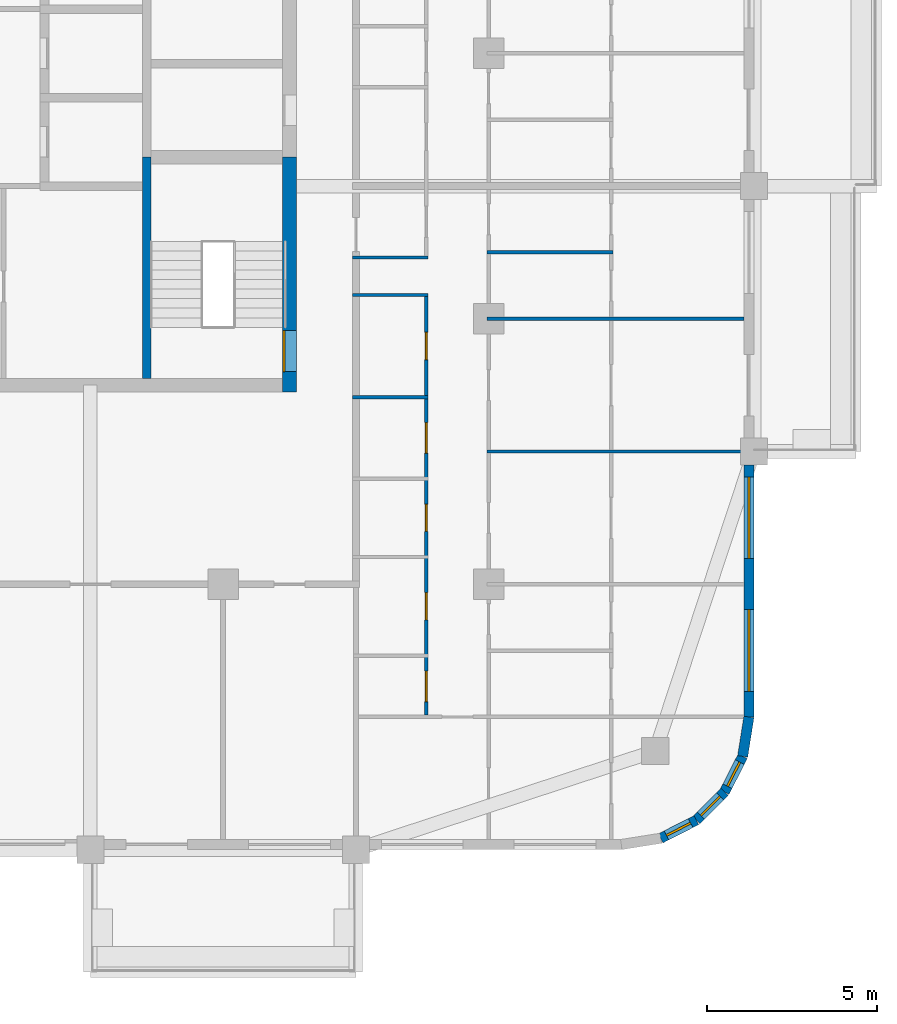
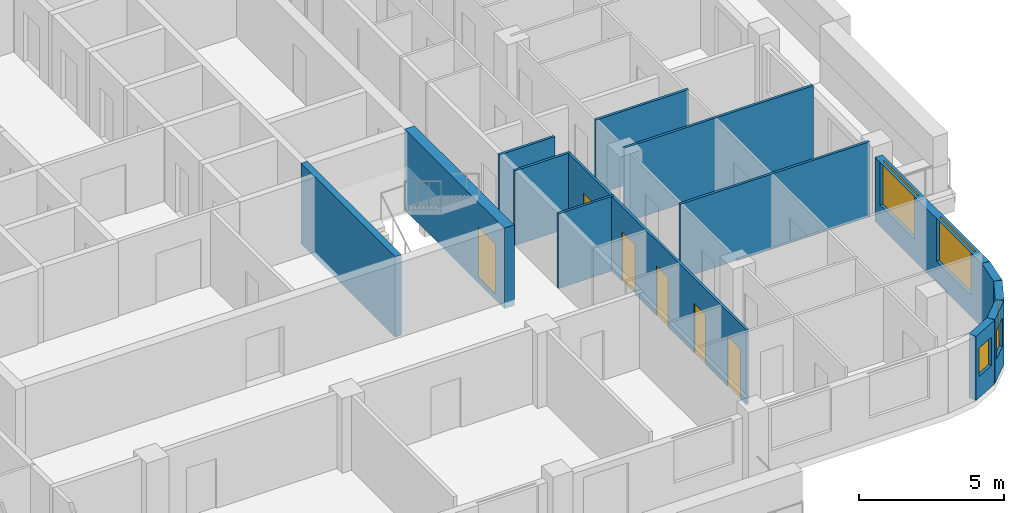
# One storey, part 6 of 16: 14 walls, 6 doors, 5 windows, 11 openings.
"""IFC4 building model written with IfcOpenShell, lengths in metres."""

from ifc_helpers import new_model, si_unit, direction, frame, frame_2d, origin, place, context, subcontext, project, spatial, rectangle, extrude, material, layer, layer_set, type_object, element, fill, save


model = new_model("IFC4")

# Units and contexts
model_context = context("Model", 3, precision=1e-05, world=origin(), true_north=direction((0.0, 1.0)))
body_context = subcontext(model_context, "Body", "Model", "MODEL_VIEW")
ifc_project = project(units=[si_unit("LENGTHUNIT", "METRE"), si_unit("AREAUNIT", "SQUARE_METRE"), si_unit("VOLUMEUNIT", "CUBIC_METRE"), si_unit("PLANEANGLEUNIT", "RADIAN"), si_unit("MASSUNIT", "GRAM", prefix="KILO")], contexts=[model_context])

# Site, building, storey
site_placement = place(None, origin())
site = spatial("IfcSite", under=ifc_project, at=site_placement, CompositionType="ELEMENT")
building_placement = place(site_placement, origin())
building = spatial("IfcBuilding", under=site, at=building_placement, Name="Ludao Terraces", CompositionType="ELEMENT")
storey_placement = place(building_placement, frame((0.0, 0.0, 224.5)))
storey = spatial("IfcBuildingStorey", under=building, at=storey_placement, Name="L61", CompositionType="ELEMENT", Elevation=224.5)

# Wall, opening, door
ifc_material_1 = material(Name="Concrete C50", Category="concrete")
ifc_layer_1 = layer(ifc_material_1, 0.39990234375)
ifc_layer_set_1 = layer_set([ifc_layer_1], Name="Core wall 400 C50")
wall_type_1 = type_object("IfcWallType", Name="Core wall 400 C50", PredefinedType="SOLIDWALL", material=ifc_layer_set_1)
wall_1_placement = place(storey_placement, frame((94.75, 55.050048828125, -0.25), z_axis=(0.0, 0.0, 1.0), x_axis=(0.0, 1.0, 0.0)))
wall_1 = element("IfcWall", 1, at=wall_1_placement, inside=storey, type_object=wall_type_1, Name="Core wall L61 outer-E-S3", PredefinedType="SOLIDWALL", context=body_context, shape_type="SweptSolid", body=[
    extrude(rectangle(XDim=6.89990234375, YDim=0.39990234375, at=frame_2d((3.449951171875, 0.0))), origin(), (0.0, 0.0, 1.0), 3.39990234375),
])
opening_1_placement = place(wall_1_placement, frame((0.60009765625, 0.0, 0.25)))
opening_1 = element("IfcOpeningElement", 2, at=opening_1_placement, cuts=wall_1, Name="Opening R22-033", PredefinedType="OPENING", context=body_context, shape_type="SweptSolid", body=[
    extrude(rectangle(XDim=1.199951171875, YDim=2.10009765625, at=frame_2d((0.60009765625, 1.050048828125))), frame((0.0, 0.2099609375, 0.0), z_axis=(0.0, -1.0, 0.0), x_axis=(1.0, 0.0, 0.0)), (0.0, 0.0, 1.0), 0.419921875),
])
ifc_material_2 = material(Name="Steel Q235", Category="steel")
door_type_1 = type_object("IfcDoorType", Name="INT Stair door 1200", OperationType="DOUBLE_DOOR_SINGLE_SWING", PredefinedType="DOOR", material=ifc_material_2)
door_1_placement = place(opening_1_placement, origin())
door_1 = element("IfcDoor", 3, at=door_1_placement, inside=storey, type_object=door_type_1, Name="DOOR 033", OperationType="DOUBLE_DOOR_SINGLE_SWING", OverallHeight=2.10009765625, OverallWidth=1.199951171875, PredefinedType="DOOR", context=body_context, shape_type="SweptSolid", body=[
    extrude(rectangle(XDim=1.199951171875, YDim=2.10009765625, at=frame_2d((0.60009765625, 1.050048828125))), frame((0.0, 0.18505859375, 0.0), z_axis=(0.0, -1.0, 0.0), x_axis=(1.0, 0.0, 0.0)), (0.0, 0.0, 1.0), 0.050048828125),
])
fill(opening_1, door_1)

# Wall, openings, windows
ifc_material_3 = material(Name="Granite cladding", Category="masonry")
ifc_layer_2 = layer(ifc_material_3, 0.0400390625, Category="stone")
ifc_material_4 = material(Name="Mineral wool")
ifc_layer_3 = layer(ifc_material_4, 0.06005859375)
ifc_material_5 = material(Name="Concrete C40", Category="concrete")
ifc_layer_4 = layer(ifc_material_5, 0.199951171875, Category="concrete")
ifc_layer_set_2 = layer_set([ifc_layer_2, ifc_layer_3, ifc_layer_4], Name="ENV Stone-clad wall 300")
wall_type_2 = type_object("IfcWallType", Name="ENV Stone-clad wall 300", PredefinedType="SOLIDWALL", material=ifc_layer_set_2)
wall_2_placement = place(storey_placement, frame((108.25, 45.5, 0.0), z_axis=(0.0, 0.0, 1.0), x_axis=(0.0, 1.0, 0.0)))
wall_2 = element("IfcWall", 4, at=wall_2_placement, inside=storey, type_object=wall_type_2, Name="EW-L61-E1", PredefinedType="SOLIDWALL", context=body_context, shape_type="SweptSolid", body=[
    extrude(rectangle(XDim=7.39990234375, YDim=0.300048828125, at=frame_2d((3.699951171875, 0.0))), origin(), (0.0, 0.0, 1.0), 2.699951171875),
])
opening_2_placement = place(wall_2_placement, frame((0.75, 0.0, 0.89990234375)))
opening_2 = element("IfcOpeningElement", 5, at=opening_2_placement, cuts=wall_2, Name="Opening W1", PredefinedType="OPENING", context=body_context, shape_type="SweptSolid", body=[
    extrude(rectangle(XDim=2.39990234375, YDim=1.800048828125, at=frame_2d((1.199951171875, 0.89990234375))), frame((0.0, 0.16015625, 0.0), z_axis=(0.0, -1.0, 0.0), x_axis=(1.0, 0.0, 0.0)), (0.0, 0.0, 1.0), 0.320068359375),
])
opening_3_placement = place(wall_2_placement, frame((4.64990234375, 0.0, 0.89990234375)))
opening_3 = element("IfcOpeningElement", 6, at=opening_3_placement, cuts=wall_2, Name="Opening W1", PredefinedType="OPENING", context=body_context, shape_type="SweptSolid", body=[
    extrude(rectangle(XDim=2.39990234375, YDim=1.800048828125, at=frame_2d((1.199951171875, 0.89990234375))), frame((0.0, 0.16015625, 0.0), z_axis=(0.0, -1.0, 0.0), x_axis=(1.0, 0.0, 0.0)), (0.0, 0.0, 1.0), 0.320068359375),
])
ifc_material_6 = material(Name="Clear glass in aluminium frame", Category="aluminium")
ifc_layer_5 = layer(ifc_material_6, 0.06005859375)
ifc_layer_set_3 = layer_set([ifc_layer_5], Name="ENV Window W1 2400x1800")
window_type_1 = type_object("IfcWindowType", Name="ENV Window W1 2400x1800", PartitioningType="DOUBLE_PANEL_VERTICAL", PredefinedType="WINDOW", material=ifc_layer_set_3)
window_1_placement = place(opening_2_placement, origin())
window_1 = element("IfcWindow", 7, at=window_1_placement, inside=storey, type_object=window_type_1, Name="W-L61-E1-1", OverallHeight=1.800048828125, OverallWidth=2.39990234375, PartitioningType="DOUBLE_PANEL_VERTICAL", PredefinedType="WINDOW", context=body_context, shape_type="SweptSolid", body=[
    extrude(rectangle(XDim=2.39990234375, YDim=1.800048828125, at=frame_2d((1.199951171875, 0.89990234375))), frame((0.0, 0.030029296875, 0.0), z_axis=(0.0, -1.0, 0.0), x_axis=(1.0, 0.0, 0.0)), (0.0, 0.0, 1.0), 0.06005859375),
])
fill(opening_2, window_1)
window_2_placement = place(opening_3_placement, origin())
window_2 = element("IfcWindow", 8, at=window_2_placement, inside=storey, type_object=window_type_1, Name="W-L61-E1-2", OverallHeight=1.800048828125, OverallWidth=2.39990234375, PartitioningType="DOUBLE_PANEL_VERTICAL", PredefinedType="WINDOW", context=body_context, shape_type="SweptSolid", body=[
    extrude(rectangle(XDim=2.39990234375, YDim=1.800048828125, at=frame_2d((1.199951171875, 0.89990234375))), frame((0.0, 0.030029296875, 0.0), z_axis=(0.0, -1.0, 0.0), x_axis=(1.0, 0.0, 0.0)), (0.0, 0.0, 1.0), 0.06005859375),
])
fill(opening_3, window_2)

# Wall, opening, window
wall_3_placement = place(storey_placement, frame((105.65869140625, 41.93359375, 0.0), z_axis=(0.0, 0.0, 1.0), x_axis=(0.890988677504, 0.454025524128, 0.0)))
wall_3 = element("IfcWall", 9, at=wall_3_placement, inside=storey, type_object=wall_type_2, Name="EW-L61-SE2", PredefinedType="SOLIDWALL", context=body_context, shape_type="SweptSolid", body=[
    extrude(rectangle(XDim=1.17333984375, YDim=0.300048828125, at=frame_2d((0.586669921875, 0.0))), origin(), (0.0, 0.0, 1.0), 2.699951171875),
])
opening_4_placement = place(wall_3_placement, frame((0.1865234375, 0.0, 0.89990234375)))
opening_4 = element("IfcOpeningElement", 10, at=opening_4_placement, cuts=wall_3, Name="Opening W3", PredefinedType="OPENING", context=body_context, shape_type="SweptSolid", body=[
    extrude(rectangle(XDim=0.800048828125, YDim=1.199951171875, at=frame_2d((0.39990234375, 0.60009765625))), frame((0.0, 0.16015625, 0.0), z_axis=(0.0, -1.0, 0.0), x_axis=(1.0, 0.0, 0.0)), (0.0, 0.0, 1.0), 0.320068359375),
])
ifc_layer_6 = layer(ifc_material_6, 0.06005859375)
ifc_layer_set_4 = layer_set([ifc_layer_6], Name="ENV Window W3 800x1200")
window_type_2 = type_object("IfcWindowType", Name="ENV Window W3 800x1200", PartitioningType="SINGLE_PANEL", PredefinedType="WINDOW", material=ifc_layer_set_4)
window_3_placement = place(opening_4_placement, origin())
window_3 = element("IfcWindow", 11, at=window_3_placement, inside=storey, type_object=window_type_2, Name="W-L61-SE2", OverallHeight=1.199951171875, OverallWidth=0.800048828125, PartitioningType="SINGLE_PANEL", PredefinedType="WINDOW", context=body_context, shape_type="SweptSolid", body=[
    extrude(rectangle(XDim=0.800048828125, YDim=1.199951171875, at=frame_2d((0.39990234375, 0.60009765625))), frame((0.0, 0.030029296875, 0.0), z_axis=(0.0, -1.0, 0.0), x_axis=(1.0, 0.0, 0.0)), (0.0, 0.0, 1.0), 0.06005859375),
])
fill(opening_4, window_3)

wall_4_placement = place(storey_placement, frame((106.7041015625, 42.46630859375, 0.0), z_axis=(0.0, 0.0, 1.0), x_axis=(0.707106781187, 0.707106781187, 0.0)))
wall_4 = element("IfcWall", 12, at=wall_4_placement, inside=storey, type_object=wall_type_2, Name="EW-L61-SE3", PredefinedType="SOLIDWALL", context=body_context, shape_type="SweptSolid", body=[
    extrude(rectangle(XDim=1.173095703125, YDim=0.300048828125, at=frame_2d((0.58642578125, 0.0))), origin(), (0.0, 0.0, 1.0), 2.699951171875),
])
opening_5_placement = place(wall_4_placement, frame((0.1865234375, 0.0, 0.89990234375)))
opening_5 = element("IfcOpeningElement", 13, at=opening_5_placement, cuts=wall_4, Name="Opening W3", PredefinedType="OPENING", context=body_context, shape_type="SweptSolid", body=[
    extrude(rectangle(XDim=0.800048828125, YDim=1.199951171875, at=frame_2d((0.39990234375, 0.60009765625))), frame((0.0, 0.16015625, 0.0), z_axis=(0.0, -1.0, 0.0), x_axis=(1.0, 0.0, 0.0)), (0.0, 0.0, 1.0), 0.320068359375),
])
window_4_placement = place(opening_5_placement, origin())
window_4 = element("IfcWindow", 14, at=window_4_placement, inside=storey, type_object=window_type_2, Name="W-L61-SE3", OverallHeight=1.199951171875, OverallWidth=0.800048828125, PartitioningType="SINGLE_PANEL", PredefinedType="WINDOW", context=body_context, shape_type="SweptSolid", body=[
    extrude(rectangle(XDim=0.800048828125, YDim=1.199951171875, at=frame_2d((0.39990234375, 0.60009765625))), frame((0.0, 0.030029296875, 0.0), z_axis=(0.0, -1.0, 0.0), x_axis=(1.0, 0.0, 0.0)), (0.0, 0.0, 1.0), 0.06005859375),
])
fill(opening_5, window_4)

wall_5_placement = place(storey_placement, frame((107.53369140625, 43.2958984375, 0.0), z_axis=(0.0, 0.0, 1.0), x_axis=(0.454025524128, 0.890988677504, 0.0)))
wall_5 = element("IfcWall", 15, at=wall_5_placement, inside=storey, type_object=wall_type_2, Name="EW-L61-SE4", PredefinedType="SOLIDWALL", context=body_context, shape_type="SweptSolid", body=[
    extrude(rectangle(XDim=1.17333984375, YDim=0.300048828125, at=frame_2d((0.586669921875, 0.0))), origin(), (0.0, 0.0, 1.0), 2.699951171875),
])
opening_6_placement = place(wall_5_placement, frame((0.1865234375, 0.0, 0.89990234375)))
opening_6 = element("IfcOpeningElement", 16, at=opening_6_placement, cuts=wall_5, Name="Opening W3", PredefinedType="OPENING", context=body_context, shape_type="SweptSolid", body=[
    extrude(rectangle(XDim=0.800048828125, YDim=1.199951171875, at=frame_2d((0.39990234375, 0.60009765625))), frame((0.0, 0.16015625, 0.0), z_axis=(0.0, -1.0, 0.0), x_axis=(1.0, 0.0, 0.0)), (0.0, 0.0, 1.0), 0.320068359375),
])
window_5_placement = place(opening_6_placement, origin())
window_5 = element("IfcWindow", 17, at=window_5_placement, inside=storey, type_object=window_type_2, Name="W-L61-SE4", OverallHeight=1.199951171875, OverallWidth=0.800048828125, PartitioningType="SINGLE_PANEL", PredefinedType="WINDOW", context=body_context, shape_type="SweptSolid", body=[
    extrude(rectangle(XDim=0.800048828125, YDim=1.199951171875, at=frame_2d((0.39990234375, 0.60009765625))), frame((0.0, 0.030029296875, 0.0), z_axis=(0.0, -1.0, 0.0), x_axis=(1.0, 0.0, 0.0)), (0.0, 0.0, 1.0), 0.06005859375),
])
fill(opening_6, window_5)

# Walls
wall_6_placement = place(storey_placement, frame((108.06640625, 44.34130859375, 0.0), z_axis=(0.0, 0.0, 1.0), x_axis=(0.156496880861, 0.987678452879, 0.0)))
element("IfcWall", 18, at=wall_6_placement, inside=storey, type_object=wall_type_2, Name="EW-L61-SE5", PredefinedType="SOLIDWALL", context=body_context, shape_type="SweptSolid", body=[
    extrude(rectangle(XDim=1.173095703125, YDim=0.300048828125, at=frame_2d((0.58642578125, 0.0))), origin(), (0.0, 0.0, 1.0), 2.699951171875),
])
ifc_material_7 = material(Name="Gypsum plasterboard", Category="gypsum")
ifc_layer_7 = layer(ifc_material_7, 0.012451171875, Category="gypsum")
ifc_layer_8 = layer(ifc_material_4, 0.06005859375, Name="insulation")
ifc_layer_9 = layer(ifc_material_2, 0.014892578125, Name="stud")
ifc_layer_10 = layer(ifc_material_7, 0.012451171875, Category="gypsum")
ifc_layer_set_5 = layer_set([ifc_layer_7, ifc_layer_8, ifc_layer_9, ifc_layer_10], Name="INT Partition 100")
wall_type_3 = type_object("IfcWallType", Name="INT Partition 100", PredefinedType="PARTITIONING", material=ifc_layer_set_5)
wall_7_placement = place(storey_placement, frame((100.550048828125, 53.300048828125, 0.0), z_axis=(0.0, 0.0, 1.0), x_axis=(1.0, 0.0, 0.0)))
element("IfcWall", 19, at=wall_7_placement, inside=storey, type_object=wall_type_3, Name="PW-L61-PW012", PredefinedType="PARTITIONING", context=body_context, shape_type="SweptSolid", body=[
    extrude(rectangle(XDim=7.550048828125, YDim=0.10009765625, at=frame_2d((3.77490234375, 0.0))), origin(), (0.0, 0.0, 1.0), 3.14990234375),
])
wall_8_placement = place(storey_placement, frame((96.60009765625, 54.89990234375, 0.0), z_axis=(0.0, 0.0, 1.0), x_axis=(1.0, 0.0, 0.0)))
element("IfcWall", 20, at=wall_8_placement, inside=storey, type_object=wall_type_3, Name="PW-L61-PW014", PredefinedType="PARTITIONING", context=body_context, shape_type="SweptSolid", body=[
    extrude(rectangle(XDim=2.219970703125, YDim=0.10009765625, at=frame_2d((1.10986328125, 0.0))), origin(), (0.0, 0.0, 1.0), 3.14990234375),
])
wall_9_placement = place(storey_placement, frame((100.550048828125, 57.199951171875, 0.0), z_axis=(0.0, 0.0, 1.0), x_axis=(1.0, 0.0, 0.0)))
element("IfcWall", 21, at=wall_9_placement, inside=storey, type_object=wall_type_3, Name="PW-L61-PW018", PredefinedType="PARTITIONING", context=body_context, shape_type="SweptSolid", body=[
    extrude(rectangle(XDim=7.550048828125, YDim=0.10009765625, at=frame_2d((3.77490234375, 0.0))), origin(), (0.0, 0.0, 1.0), 3.14990234375),
])
for number, where, z_axis, x_axis, name in (
    (22, (96.60009765625, 57.89990234375, 0.0), (0.0, 0.0, 1.0), (1.0, 0.0, 0.0), "PW-L61-PW020"),
    (23, (96.60009765625, 59.0, 0.0), (0.0, 0.0, 1.0), (1.0, 0.0, 0.0), "PW-L61-PW021"),
):
    element("IfcWall", number, at=place(storey_placement, frame(where, z_axis=z_axis, x_axis=x_axis)), inside=storey, type_object=wall_type_3, Name=name, PredefinedType="PARTITIONING", context=body_context, shape_type="SweptSolid", body=[
        extrude(rectangle(XDim=2.219970703125, YDim=0.10009765625, at=frame_2d((1.10986328125, 0.0))), origin(), (0.0, 0.0, 1.0), 3.14990234375),
    ])
wall_10_placement = place(storey_placement, frame((100.550048828125, 59.14990234375, 0.0), z_axis=(0.0, 0.0, 1.0), x_axis=(1.0, 0.0, 0.0)))
element("IfcWall", 24, at=wall_10_placement, inside=storey, type_object=wall_type_3, Name="PW-L61-PW023", PredefinedType="PARTITIONING", context=body_context, shape_type="SweptSolid", body=[
    extrude(rectangle(XDim=3.699951171875, YDim=0.10009765625, at=frame_2d((1.85009765625, 0.0))), origin(), (0.0, 0.0, 1.0), 3.14990234375),
])

# Wall, openings, doors
wall_11_placement = place(storey_placement, frame((98.77001953125, 45.550048828125, 0.0), z_axis=(0.0, 0.0, 1.0), x_axis=(0.0, 1.0, 0.0)))
wall_11 = element("IfcWall", 25, at=wall_11_placement, inside=storey, type_object=wall_type_3, Name="PW-L61-PW091", PredefinedType="PARTITIONING", context=body_context, shape_type="SweptSolid", body=[
    extrude(rectangle(XDim=12.300048828125, YDim=0.10009765625, at=frame_2d((6.14990234375, 0.0))), origin(), (0.0, 0.0, 1.0), 3.14990234375),
])
opening_7_placement = place(wall_11_placement, frame((0.39990234375, 0.0, 0.0)))
opening_7 = element("IfcOpeningElement", 26, at=opening_7_placement, cuts=wall_11, Name="Opening R22-007", PredefinedType="OPENING", context=body_context, shape_type="SweptSolid", body=[
    extrude(rectangle(XDim=0.89990234375, YDim=2.10009765625, at=frame_2d((0.449951171875, 1.050048828125))), frame((0.0, 0.06005859375, 0.0), z_axis=(0.0, -1.0, 0.0), x_axis=(1.0, 0.0, 0.0)), (0.0, 0.0, 1.0), 0.1201171875),
])
opening_8_placement = place(wall_11_placement, frame((2.800048828125, 0.0, 0.0)))
opening_8 = element("IfcOpeningElement", 27, at=opening_8_placement, cuts=wall_11, Name="Opening R22-014", PredefinedType="OPENING", context=body_context, shape_type="SweptSolid", body=[
    extrude(rectangle(XDim=0.800048828125, YDim=2.10009765625, at=frame_2d((0.39990234375, 1.050048828125))), frame((0.0, 0.06005859375, 0.0), z_axis=(0.0, -1.0, 0.0), x_axis=(1.0, 0.0, 0.0)), (0.0, 0.0, 1.0), 0.1201171875),
])
opening_9_placement = place(wall_11_placement, frame((5.39990234375, 0.0, 0.0)))
opening_9 = element("IfcOpeningElement", 28, at=opening_9_placement, cuts=wall_11, Name="Opening R22-021", PredefinedType="OPENING", context=body_context, shape_type="SweptSolid", body=[
    extrude(rectangle(XDim=0.800048828125, YDim=2.10009765625, at=frame_2d((0.39990234375, 1.050048828125))), frame((0.0, 0.06005859375, 0.0), z_axis=(0.0, -1.0, 0.0), x_axis=(1.0, 0.0, 0.0)), (0.0, 0.0, 1.0), 0.1201171875),
])
opening_10_placement = place(wall_11_placement, frame((7.699951171875, 0.0, 0.0)))
opening_10 = element("IfcOpeningElement", 29, at=opening_10_placement, cuts=wall_11, Name="Opening R22-026", PredefinedType="OPENING", context=body_context, shape_type="SweptSolid", body=[
    extrude(rectangle(XDim=0.89990234375, YDim=2.10009765625, at=frame_2d((0.449951171875, 1.050048828125))), frame((0.0, 0.06005859375, 0.0), z_axis=(0.0, -1.0, 0.0), x_axis=(1.0, 0.0, 0.0)), (0.0, 0.0, 1.0), 0.1201171875),
])
opening_11_placement = place(wall_11_placement, frame((10.449951171875, 0.0, 0.0)))
opening_11 = element("IfcOpeningElement", 30, at=opening_11_placement, cuts=wall_11, Name="Opening R22-035", PredefinedType="OPENING", context=body_context, shape_type="SweptSolid", body=[
    extrude(rectangle(XDim=0.800048828125, YDim=2.10009765625, at=frame_2d((0.39990234375, 1.050048828125))), frame((0.0, 0.06005859375, 0.0), z_axis=(0.0, -1.0, 0.0), x_axis=(1.0, 0.0, 0.0)), (0.0, 0.0, 1.0), 0.1201171875),
])
ifc_material_8 = material(Name="Timber door leaf", Category="wood")
door_type_2 = type_object("IfcDoorType", Name="INT Bathroom door 900", OperationType="SINGLE_SWING_LEFT", PredefinedType="DOOR", material=ifc_material_8)
door_2_placement = place(opening_7_placement, origin())
door_2 = element("IfcDoor", 31, at=door_2_placement, inside=storey, type_object=door_type_2, Name="DOOR 007", OperationType="SINGLE_SWING_LEFT", OverallHeight=2.10009765625, OverallWidth=0.89990234375, PredefinedType="DOOR", context=body_context, shape_type="SweptSolid", body=[
    extrude(rectangle(XDim=0.89990234375, YDim=2.10009765625, at=frame_2d((0.449951171875, 1.050048828125))), frame((0.0, 0.02490234375, 0.0), z_axis=(0.0, -1.0, 0.0), x_axis=(1.0, 0.0, 0.0)), (0.0, 0.0, 1.0), 0.050048828125),
])
fill(opening_7, door_2)
door_3_placement = place(opening_10_placement, origin())
door_3 = element("IfcDoor", 32, at=door_3_placement, inside=storey, type_object=door_type_2, Name="DOOR 026", OperationType="SINGLE_SWING_LEFT", OverallHeight=2.10009765625, OverallWidth=0.89990234375, PredefinedType="DOOR", context=body_context, shape_type="SweptSolid", body=[
    extrude(rectangle(XDim=0.89990234375, YDim=2.10009765625, at=frame_2d((0.449951171875, 1.050048828125))), frame((0.0, 0.02490234375, 0.0), z_axis=(0.0, -1.0, 0.0), x_axis=(1.0, 0.0, 0.0)), (0.0, 0.0, 1.0), 0.050048828125),
])
fill(opening_10, door_3)
door_type_3 = type_object("IfcDoorType", Name="INT Store door 800", OperationType="SINGLE_SWING_LEFT", PredefinedType="DOOR", material=ifc_material_8)
door_4_placement = place(opening_8_placement, origin())
door_4 = element("IfcDoor", 33, at=door_4_placement, inside=storey, type_object=door_type_3, Name="DOOR 014", OperationType="SINGLE_SWING_LEFT", OverallHeight=2.10009765625, OverallWidth=0.800048828125, PredefinedType="DOOR", context=body_context, shape_type="SweptSolid", body=[
    extrude(rectangle(XDim=0.800048828125, YDim=2.10009765625, at=frame_2d((0.39990234375, 1.050048828125))), frame((0.0, 0.02490234375, 0.0), z_axis=(0.0, -1.0, 0.0), x_axis=(1.0, 0.0, 0.0)), (0.0, 0.0, 1.0), 0.050048828125),
])
fill(opening_8, door_4)
door_5_placement = place(opening_9_placement, origin())
door_5 = element("IfcDoor", 34, at=door_5_placement, inside=storey, type_object=door_type_3, Name="DOOR 021", OperationType="SINGLE_SWING_LEFT", OverallHeight=2.10009765625, OverallWidth=0.800048828125, PredefinedType="DOOR", context=body_context, shape_type="SweptSolid", body=[
    extrude(rectangle(XDim=0.800048828125, YDim=2.10009765625, at=frame_2d((0.39990234375, 1.050048828125))), frame((0.0, 0.02490234375, 0.0), z_axis=(0.0, -1.0, 0.0), x_axis=(1.0, 0.0, 0.0)), (0.0, 0.0, 1.0), 0.050048828125),
])
fill(opening_9, door_5)
door_6_placement = place(opening_11_placement, origin())
door_6 = element("IfcDoor", 35, at=door_6_placement, inside=storey, type_object=door_type_3, Name="DOOR 035", OperationType="SINGLE_SWING_LEFT", OverallHeight=2.10009765625, OverallWidth=0.800048828125, PredefinedType="DOOR", context=body_context, shape_type="SweptSolid", body=[
    extrude(rectangle(XDim=0.800048828125, YDim=2.10009765625, at=frame_2d((0.39990234375, 1.050048828125))), frame((0.0, 0.02490234375, 0.0), z_axis=(0.0, -1.0, 0.0), x_axis=(1.0, 0.0, 0.0)), (0.0, 0.0, 1.0), 0.050048828125),
])
fill(opening_11, door_6)

# Wall
ifc_layer_11 = layer(ifc_material_1, 0.25)
ifc_layer_set_6 = layer_set([ifc_layer_11], Name="Shaft wall 250 C50")
wall_type_4 = type_object("IfcWallType", Name="Shaft wall 250 C50", PredefinedType="SOLIDWALL", material=ifc_layer_set_6)
wall_12_placement = place(storey_placement, frame((90.550048828125, 55.449951171875, -0.25), z_axis=(0.0, 0.0, 1.0), x_axis=(0.0, 1.0, 0.0)))
element("IfcWall", 36, at=wall_12_placement, inside=storey, type_object=wall_type_4, Name="Core wall L61 back-E-S3", PredefinedType="SOLIDWALL", context=body_context, shape_type="SweptSolid", body=[
    extrude(rectangle(XDim=6.5, YDim=0.25, at=frame_2d((3.25, 0.0))), origin(), (0.0, 0.0, 1.0), 3.39990234375),
])

save(model, "model.ifc")
